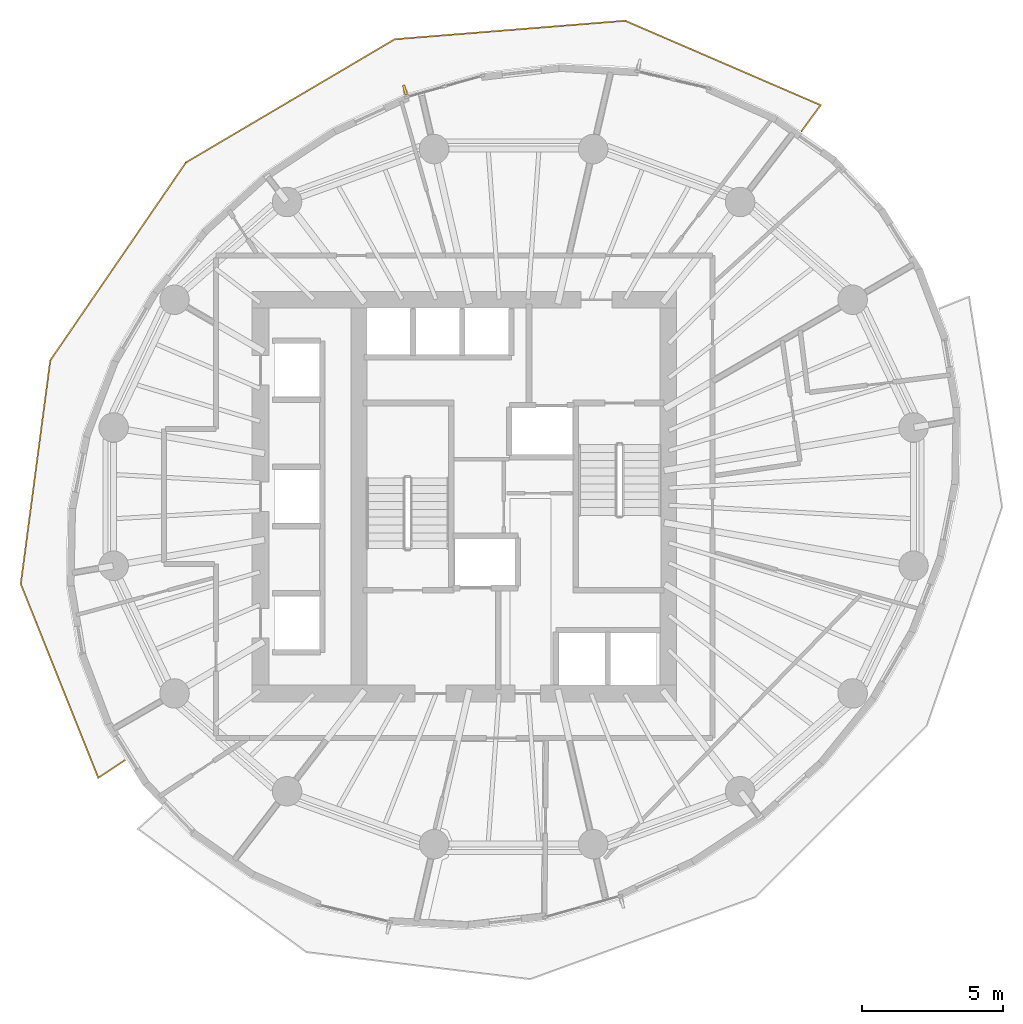
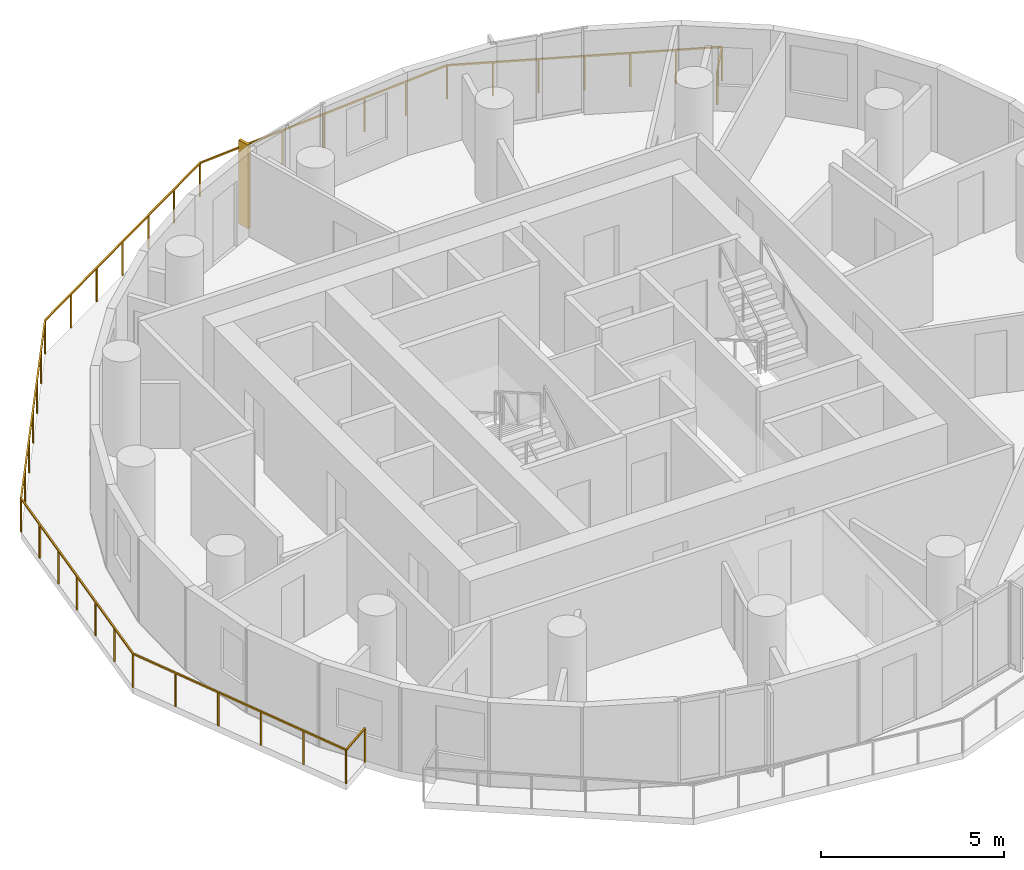
# One storey, part 12 of 13: 1 railing, 1 shading device.
"""IFC4 building model written with IfcOpenShell, lengths in metres."""

from ifc_helpers import new_model, si_unit, direction, frame, origin, origin_2d, place, context, subcontext, project, spatial, rectangle, extrude, material, layer, layer_set, type_object, element, save


model = new_model("IFC4")

# Units and contexts
model_context = context("Model", 3, precision=1e-05, world=origin(), true_north=direction((0.0, 1.0)))
body_context = subcontext(model_context, "Body", "Model", "MODEL_VIEW")
ifc_project = project(units=[si_unit("LENGTHUNIT", "METRE"), si_unit("AREAUNIT", "SQUARE_METRE"), si_unit("VOLUMEUNIT", "CUBIC_METRE"), si_unit("PLANEANGLEUNIT", "RADIAN"), si_unit("MASSUNIT", "GRAM", prefix="KILO")], contexts=[model_context])

# Site, building, storey
site_placement = place(None, origin())
site = spatial("IfcSite", under=ifc_project, at=site_placement, CompositionType="ELEMENT")
building_placement = place(site_placement, origin())
building = spatial("IfcBuilding", under=site, at=building_placement, Name="Veldorim Arch Residences", CompositionType="ELEMENT")
storey_placement = place(building_placement, frame((0.0, 0.0, 155.360107421875)))
storey = spatial("IfcBuildingStorey", under=building, at=storey_placement, Name="L46", CompositionType="ELEMENT", Elevation=155.360107421875)

# Railing
ifc_material_1 = material(Name="Aluminium", Category="aluminium")
railing_type = type_object("IfcRailingType", Name="Balcony & Terrace Laminated Glass Balustrade 1150", PredefinedType="BALUSTRADE", material=ifc_material_1)
railing_placement = place(storey_placement, frame((42.242431640625, 36.993896484375, 0.0)))
element("IfcRailing", 1, at=railing_placement, inside=storey, type_object=railing_type, Name="L46 crescent balcony safety balustrade A", PredefinedType="BALUSTRADE", context=body_context, shape_type="SweptSolid", body=[
    extrude(rectangle(XDim=0.048095703125, YDim=0.048095703125, at=origin_2d()), frame((0.0, 0.0, 1.1259765625), z_axis=(0.591372865869, 0.806398247465, 0.0), x_axis=(-0.806398247465, 0.591372865869, 0.0)), (0.0, 0.0, 1.0), 1.150146484375),
    extrude(rectangle(XDim=0.048095703125, YDim=0.048095703125, at=origin_2d()), frame((0.68017578125, 0.927490234375, 1.1259765625), z_axis=(-0.918086609005, 0.396379841018, 0.0), x_axis=(-0.396379841018, -0.918086609005, 0.0)), (0.0, 0.0, 1.0), 7.575927734375),
    extrude(rectangle(XDim=0.048095703125, YDim=0.048095703125, at=origin_2d()), frame((-6.275146484375, 3.930419921875, 1.1259765625), z_axis=(-0.996791721429, -0.080039140996, 0.0), x_axis=(0.080039140996, -0.996791721429, 0.0)), (0.0, 0.0, 1.0), 8.220458984375),
    extrude(rectangle(XDim=0.048095703125, YDim=0.048095703125, at=origin_2d()), frame((-14.46923828125, 3.2724609375, 1.1259765625), z_axis=(-0.861252156609, -0.508177845579, 0.0), x_axis=(0.508177845579, -0.861252156609, 0.0)), (0.0, 0.0, 1.0), 8.62255859375),
    extrude(rectangle(XDim=0.048095703125, YDim=0.048095703125, at=origin_2d()), frame((-21.8955078125, -1.109375, 1.1259765625), z_axis=(-0.565356542033, -0.824846640522, 0.0), x_axis=(0.824846640522, -0.565356542033, 0.0)), (0.0, 0.0, 1.0), 8.533447265625),
    extrude(rectangle(XDim=0.048095703125, YDim=0.048095703125, at=origin_2d()), frame((-26.719970703125, -8.148193359375, 1.1259765625), z_axis=(-0.130929336891, -0.991391702982, 0.0), x_axis=(0.991391702982, -0.130929336891, 0.0)), (0.0, 0.0, 1.0), 8.02001953125),
    extrude(rectangle(XDim=0.048095703125, YDim=0.048095703125, at=origin_2d()), frame((-27.77001953125, -16.09912109375, 1.1259765625), z_axis=(0.371181027315, -0.928560523047, 0.0), x_axis=(0.928560523047, 0.371181027315, 0.0)), (0.0, 0.0, 1.0), 7.42919921875),
    extrude(rectangle(XDim=0.048095703125, YDim=0.048095703125, at=origin_2d()), frame((-25.012451171875, -22.99755859375, 1.1259765625), z_axis=(0.832865944079, 0.553474768344, 0.0), x_axis=(-0.553474768344, 0.832865944079, 0.0)), (0.0, 0.0, 1.0), 1.14990234375),
    extrude(rectangle(XDim=0.0419921875, YDim=0.0419921875, at=origin_2d()), origin(), (0.0, 0.0, 1.0), 1.101806640625),
    extrude(rectangle(XDim=0.0419921875, YDim=0.0419921875, at=origin_2d()), frame((0.68017578125, 0.927490234375, 0.0)), (0.0, 0.0, 1.0), 1.101806640625),
    extrude(rectangle(XDim=0.0419921875, YDim=0.0419921875, at=origin_2d()), frame((-0.47900390625, 1.427978515625, 0.0)), (0.0, 0.0, 1.0), 1.101806640625),
    extrude(rectangle(XDim=0.0419921875, YDim=0.0419921875, at=origin_2d()), frame((-1.63818359375, 1.928466796875, 0.0)), (0.0, 0.0, 1.0), 1.101806640625),
    extrude(rectangle(XDim=0.0419921875, YDim=0.0419921875, at=origin_2d()), frame((-2.79736328125, 2.428955078125, 0.0)), (0.0, 0.0, 1.0), 1.101806640625),
    extrude(rectangle(XDim=0.0419921875, YDim=0.0419921875, at=origin_2d()), frame((-3.956787109375, 2.929443359375, 0.0)), (0.0, 0.0, 1.0), 1.101806640625),
    extrude(rectangle(XDim=0.0419921875, YDim=0.0419921875, at=origin_2d()), frame((-5.115966796875, 3.429931640625, 0.0)), (0.0, 0.0, 1.0), 1.101806640625),
    extrude(rectangle(XDim=0.0419921875, YDim=0.0419921875, at=origin_2d()), frame((-6.275146484375, 3.930419921875, 0.0)), (0.0, 0.0, 1.0), 1.101806640625),
    extrude(rectangle(XDim=0.0419921875, YDim=0.0419921875, at=origin_2d()), frame((-7.640869140625, 3.82080078125, 0.0)), (0.0, 0.0, 1.0), 1.101806640625),
    extrude(rectangle(XDim=0.0419921875, YDim=0.0419921875, at=origin_2d()), frame((-9.006591796875, 3.711181640625, 0.0)), (0.0, 0.0, 1.0), 1.101806640625),
    extrude(rectangle(XDim=0.0419921875, YDim=0.0419921875, at=origin_2d()), frame((-10.3720703125, 3.6015625, 0.0)), (0.0, 0.0, 1.0), 1.101806640625),
    extrude(rectangle(XDim=0.0419921875, YDim=0.0419921875, at=origin_2d()), frame((-11.73779296875, 3.49169921875, 0.0)), (0.0, 0.0, 1.0), 1.101806640625),
    extrude(rectangle(XDim=0.0419921875, YDim=0.0419921875, at=origin_2d()), frame((-13.103515625, 3.382080078125, 0.0)), (0.0, 0.0, 1.0), 1.101806640625),
    extrude(rectangle(XDim=0.0419921875, YDim=0.0419921875, at=origin_2d()), frame((-14.46923828125, 3.2724609375, 0.0)), (0.0, 0.0, 1.0), 1.101806640625),
    extrude(rectangle(XDim=0.0419921875, YDim=0.0419921875, at=origin_2d()), frame((-15.70703125, 2.542236328125, 0.0)), (0.0, 0.0, 1.0), 1.101806640625),
    extrude(rectangle(XDim=0.0419921875, YDim=0.0419921875, at=origin_2d()), frame((-16.944580078125, 1.811767578125, 0.0)), (0.0, 0.0, 1.0), 1.101806640625),
    extrude(rectangle(XDim=0.0419921875, YDim=0.0419921875, at=origin_2d()), frame((-18.182373046875, 1.08154296875, 0.0)), (0.0, 0.0, 1.0), 1.101806640625),
    extrude(rectangle(XDim=0.0419921875, YDim=0.0419921875, at=origin_2d()), frame((-19.420166015625, 0.351318359375, 0.0)), (0.0, 0.0, 1.0), 1.101806640625),
    extrude(rectangle(XDim=0.0419921875, YDim=0.0419921875, at=origin_2d()), frame((-20.65771484375, -0.379150390625, 0.0)), (0.0, 0.0, 1.0), 1.101806640625),
    extrude(rectangle(XDim=0.0419921875, YDim=0.0419921875, at=origin_2d()), frame((-21.8955078125, -1.109375, 0.0)), (0.0, 0.0, 1.0), 1.101806640625),
    extrude(rectangle(XDim=0.0419921875, YDim=0.0419921875, at=origin_2d()), frame((-22.69970703125, -2.282470703125, 0.0)), (0.0, 0.0, 1.0), 1.101806640625),
    extrude(rectangle(XDim=0.0419921875, YDim=0.0419921875, at=origin_2d()), frame((-23.503662109375, -3.45556640625, 0.0)), (0.0, 0.0, 1.0), 1.101806640625),
    extrude(rectangle(XDim=0.0419921875, YDim=0.0419921875, at=origin_2d()), frame((-24.3076171875, -4.62890625, 0.0)), (0.0, 0.0, 1.0), 1.101806640625),
    extrude(rectangle(XDim=0.0419921875, YDim=0.0419921875, at=origin_2d()), frame((-25.11181640625, -5.802001953125, 0.0)), (0.0, 0.0, 1.0), 1.101806640625),
    extrude(rectangle(XDim=0.0419921875, YDim=0.0419921875, at=origin_2d()), frame((-25.916015625, -6.97509765625, 0.0)), (0.0, 0.0, 1.0), 1.101806640625),
    extrude(rectangle(XDim=0.0419921875, YDim=0.0419921875, at=origin_2d()), frame((-26.719970703125, -8.148193359375, 0.0)), (0.0, 0.0, 1.0), 1.101806640625),
    extrude(rectangle(XDim=0.0419921875, YDim=0.0419921875, at=origin_2d()), frame((-26.89501953125, -9.473388671875, 0.0)), (0.0, 0.0, 1.0), 1.101806640625),
    extrude(rectangle(XDim=0.0419921875, YDim=0.0419921875, at=origin_2d()), frame((-27.070068359375, -10.798583984375, 0.0)), (0.0, 0.0, 1.0), 1.101806640625),
    extrude(rectangle(XDim=0.0419921875, YDim=0.0419921875, at=origin_2d()), frame((-27.2451171875, -12.12353515625, 0.0)), (0.0, 0.0, 1.0), 1.101806640625),
    extrude(rectangle(XDim=0.0419921875, YDim=0.0419921875, at=origin_2d()), frame((-27.419921875, -13.44873046875, 0.0)), (0.0, 0.0, 1.0), 1.101806640625),
    extrude(rectangle(XDim=0.0419921875, YDim=0.0419921875, at=origin_2d()), frame((-27.594970703125, -14.77392578125, 0.0)), (0.0, 0.0, 1.0), 1.101806640625),
    extrude(rectangle(XDim=0.0419921875, YDim=0.0419921875, at=origin_2d()), frame((-27.77001953125, -16.09912109375, 0.0)), (0.0, 0.0, 1.0), 1.101806640625),
    extrude(rectangle(XDim=0.0419921875, YDim=0.0419921875, at=origin_2d()), frame((-27.218505859375, -17.478759765625, 0.0)), (0.0, 0.0, 1.0), 1.101806640625),
    extrude(rectangle(XDim=0.0419921875, YDim=0.0419921875, at=origin_2d()), frame((-26.6669921875, -18.8583984375, 0.0)), (0.0, 0.0, 1.0), 1.101806640625),
    extrude(rectangle(XDim=0.0419921875, YDim=0.0419921875, at=origin_2d()), frame((-26.115478515625, -20.23828125, 0.0)), (0.0, 0.0, 1.0), 1.101806640625),
    extrude(rectangle(XDim=0.0419921875, YDim=0.0419921875, at=origin_2d()), frame((-25.56396484375, -21.617919921875, 0.0)), (0.0, 0.0, 1.0), 1.101806640625),
    extrude(rectangle(XDim=0.0419921875, YDim=0.0419921875, at=origin_2d()), frame((-25.012451171875, -22.99755859375, 0.0)), (0.0, 0.0, 1.0), 1.101806640625),
    extrude(rectangle(XDim=0.0419921875, YDim=0.0419921875, at=origin_2d()), frame((-24.0546875, -22.361083984375, 0.0)), (0.0, 0.0, 1.0), 1.101806640625),
])

# Shading device
ifc_material_2 = material(Name="Terracotta Ceramic", Category="masonry")
ifc_layer = layer(ifc_material_2, 0.090087890625, Name="Vertical Extruded Terracotta Baguette Sun-Shading Fin")
ifc_layer_set = layer_set([ifc_layer], Name="Terracotta Ceramic")
shading_device_type = type_object("IfcShadingDeviceType", Name="Vertical Extruded Terracotta Baguette Sun-Shading Fin", PredefinedType="USERDEFINED", material=ifc_layer_set)
shading_device_placement = place(storey_placement, frame((28.13671875, 38.4599609375, 0.0), z_axis=(0.0, 0.0, 1.0), x_axis=(0.962549928407, 0.271104473079, 0.0)))
element("IfcShadingDevice", 2, at=shading_device_placement, inside=storey, type_object=shading_device_type, Name="L46 vertical terracotta sun-shading fin 07", ObjectType="FIN", PredefinedType="USERDEFINED", context=body_context, shape_type="SweptSolid", body=[
    extrude(rectangle(XDim=0.090087890625, YDim=0.360107421875, at=origin_2d()), origin(), (0.0, 0.0, 1.0), 2.800048828125),
])

save(model, "model.ifc")
